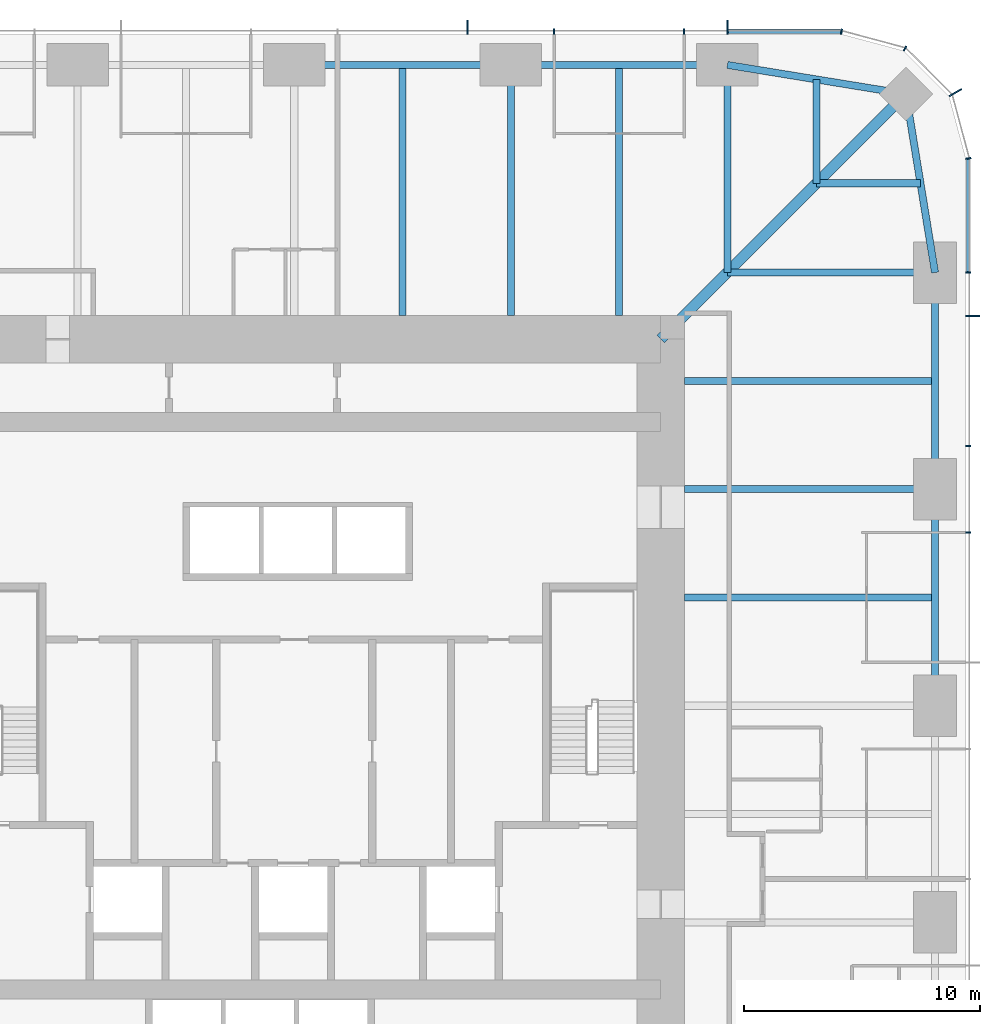
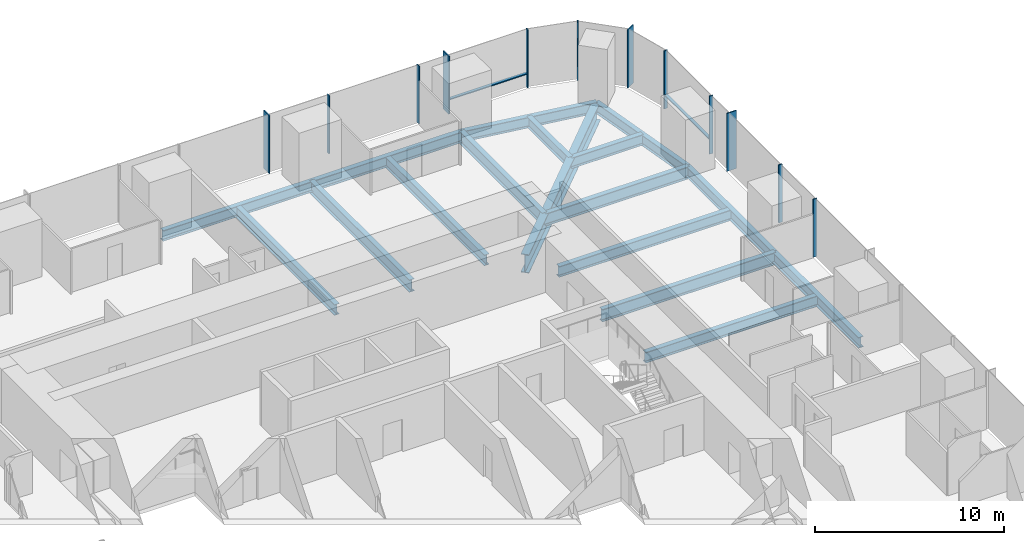
# One storey, part 6 of 12: 17 beams, 14 members, 3 elements without a shape of their own.
"""IFC4 building model written with IfcOpenShell, lengths in metres."""

from ifc_helpers import new_model, si_unit, direction, frame, origin, origin_2d, place, context, subcontext, project, spatial, rectangle, i_section, extrude, material, material_profile, profile_set, type_object, element, aggregate, save


model = new_model("IFC4")

# Units and contexts
model_context = context("Model", 3, precision=1e-05, world=origin(), true_north=direction((0.0, 1.0)))
body_context = subcontext(model_context, "Body", "Model", "MODEL_VIEW")
ifc_project = project(units=[si_unit("LENGTHUNIT", "METRE"), si_unit("AREAUNIT", "SQUARE_METRE"), si_unit("VOLUMEUNIT", "CUBIC_METRE"), si_unit("PLANEANGLEUNIT", "RADIAN"), si_unit("MASSUNIT", "GRAM", prefix="KILO")], contexts=[model_context])

# Site, building, storey
site_placement = place(None, origin())
site = spatial("IfcSite", under=ifc_project, at=site_placement, CompositionType="ELEMENT")
building_placement = place(site_placement, origin())
building = spatial("IfcBuilding", under=site, at=building_placement, Name="Khuree Lantern Residences", CompositionType="ELEMENT")
storey_placement = place(building_placement, frame((0.0, 0.0, 167.25)))
storey = spatial("IfcBuildingStorey", under=building, at=storey_placement, Name="L42", CompositionType="ELEMENT", Elevation=167.25)

# Beams
ifc_material_1 = material(Name="Steel S355", Category="steel")
ifc_material_profile_1 = material_profile(ifc_material_1, i_section(OverallWidth=0.300048828125, OverallDepth=0.68994140625, WebThickness=0.014404296875, FlangeThickness=0.027099609375, FilletRadius=0.027099609375, at=origin_2d()), Name="HE 700 A")
ifc_profile_set_1 = profile_set([ifc_material_profile_1], Name="Steel S355")
beam_type_1 = type_object("IfcBeamType", Name="B-24 SECONDARY BEAM HE 700 A", PredefinedType="BEAM", material=ifc_profile_set_1)
for number, where, z_axis, x_axis, name in (
    (1, (4.580078125, 27.10009765625, -0.594970703125), (0.0, -1.0, 0.0), (1.0, 0.0, 0.0), "Secondary beam N3"),
    (2, (13.739990234375, 27.10009765625, -0.594970703125), (0.0, -1.0, 0.0), (1.0, 0.0, 0.0), "Secondary beam N4"),
):
    element("IfcBeam", number, at=place(storey_placement, frame(where, z_axis=z_axis, x_axis=x_axis)), inside=storey, type_object=beam_type_1, Name=name, PredefinedType="BEAM", context=body_context, shape_type="SweptSolid", body=[
        extrude(i_section(OverallWidth=0.300048828125, OverallDepth=0.68994140625, WebThickness=0.014404296875, FlangeThickness=0.027099609375, FilletRadius=0.027099609375, at=origin_2d()), origin(), (0.0, 0.0, 1.0), 10.60009765625),
    ])
for number, where, z_axis, x_axis, name in (
    (3, (22.094970703125, 26.48486328125, -0.594970703125), (0.0, -1.0, 0.0), (1.0, 0.0, 0.0), "Secondary beam N5"),
    (4, (26.48486328125, 22.094970703125, -0.594970703125), (-1.0, 0.0, 0.0), (0.0, -1.0, 0.0), "Secondary beam E1"),
):
    element("IfcBeam", number, at=place(storey_placement, frame(where, z_axis=z_axis, x_axis=x_axis)), inside=storey, type_object=beam_type_1, Name=name, PredefinedType="BEAM", context=body_context, shape_type="SweptSolid", body=[
        extrude(i_section(OverallWidth=0.300048828125, OverallDepth=0.68994140625, WebThickness=0.014404296875, FlangeThickness=0.027099609375, FilletRadius=0.027099609375, at=origin_2d()), origin(), (0.0, 0.0, 1.0), 4.389892578125),
    ])
for number, where, z_axis, x_axis, name in (
    (5, (27.10009765625, 13.739990234375, -0.594970703125), (-1.0, 0.0, 0.0), (0.0, -1.0, 0.0), "Secondary beam E2"),
    (6, (27.10009765625, 4.580078125, -0.594970703125), (-1.0, 0.0, 0.0), (0.0, -1.0, 0.0), "Secondary beam E3"),
):
    element("IfcBeam", number, at=place(storey_placement, frame(where, z_axis=z_axis, x_axis=x_axis)), inside=storey, type_object=beam_type_1, Name=name, PredefinedType="BEAM", context=body_context, shape_type="SweptSolid", body=[
        extrude(i_section(OverallWidth=0.300048828125, OverallDepth=0.68994140625, WebThickness=0.014404296875, FlangeThickness=0.027099609375, FilletRadius=0.027099609375, at=origin_2d()), origin(), (0.0, 0.0, 1.0), 10.60009765625),
    ])
ifc_material_profile_2 = material_profile(ifc_material_1, i_section(OverallWidth=0.300048828125, OverallDepth=0.68994140625, WebThickness=0.014404296875, FlangeThickness=0.027099609375, FilletRadius=0.027099609375, at=origin_2d()), Name="HE 700 A")
ifc_profile_set_2 = profile_set([ifc_material_profile_2], Name="Steel S355")
beam_type_2 = type_object("IfcBeamType", Name="E-24 SPANDREL BEAM HE 700 A", PredefinedType="SPANDREL", material=ifc_profile_set_2)
beam_1_placement = place(storey_placement, frame((0.0, 27.10009765625, -0.594970703125), z_axis=(1.0, 0.0, 0.0), x_axis=(0.0, 1.0, 0.0)))
element("IfcBeam", 7, at=beam_1_placement, inside=storey, type_object=beam_type_2, Name="Spandrel beam N3", PredefinedType="SPANDREL", context=body_context, shape_type="SweptSolid", body=[
    extrude(i_section(OverallWidth=0.300048828125, OverallDepth=0.68994140625, WebThickness=0.014404296875, FlangeThickness=0.027099609375, FilletRadius=0.027099609375, at=origin_2d()), origin(), (0.0, 0.0, 1.0), 9.159912109375),
])
beam_2_placement = place(storey_placement, frame((9.159912109375, 27.10009765625, -0.594970703125), z_axis=(1.0, 0.0, 0.0), x_axis=(0.0, 1.0, 0.0)))
element("IfcBeam", 8, at=beam_2_placement, inside=storey, type_object=beam_type_2, Name="Spandrel beam N4", PredefinedType="SPANDREL", context=body_context, shape_type="SweptSolid", body=[
    extrude(i_section(OverallWidth=0.300048828125, OverallDepth=0.68994140625, WebThickness=0.014404296875, FlangeThickness=0.027099609375, FilletRadius=0.027099609375, at=origin_2d()), origin(), (0.0, 0.0, 1.0), 9.16015625),
])
for number, where, z_axis, x_axis, name in (
    (9, (18.320068359375, 27.10009765625, -0.594970703125), (0.986982656839, -0.160826723833, 0.0), (0.160826723833, 0.986982656839, 0.0), "Spandrel beam N5"),
    (10, (25.869873046875, 25.869873046875, -0.594970703125), (0.160826723833, -0.986982656839, 0.0), (0.986982656839, 0.160826723833, 0.0), "Spandrel beam E1"),
):
    element("IfcBeam", number, at=place(storey_placement, frame(where, z_axis=z_axis, x_axis=x_axis)), inside=storey, type_object=beam_type_2, Name=name, PredefinedType="SPANDREL", context=body_context, shape_type="SweptSolid", body=[
        extrude(i_section(OverallWidth=0.300048828125, OverallDepth=0.68994140625, WebThickness=0.014404296875, FlangeThickness=0.027099609375, FilletRadius=0.027099609375, at=origin_2d()), origin(), (0.0, 0.0, 1.0), 7.6494140625),
    ])
beam_3_placement = place(storey_placement, frame((27.10009765625, 18.320068359375, -0.594970703125), z_axis=(0.0, -1.0, 0.0), x_axis=(1.0, 0.0, 0.0)))
element("IfcBeam", 11, at=beam_3_placement, inside=storey, type_object=beam_type_2, Name="Spandrel beam E2", PredefinedType="SPANDREL", context=body_context, shape_type="SweptSolid", body=[
    extrude(i_section(OverallWidth=0.300048828125, OverallDepth=0.68994140625, WebThickness=0.014404296875, FlangeThickness=0.027099609375, FilletRadius=0.027099609375, at=origin_2d()), origin(), (0.0, 0.0, 1.0), 9.16015625),
])
beam_4_placement = place(storey_placement, frame((27.10009765625, 9.159912109375, -0.594970703125), z_axis=(0.0, -1.0, 0.0), x_axis=(1.0, 0.0, 0.0)))
element("IfcBeam", 12, at=beam_4_placement, inside=storey, type_object=beam_type_2, Name="Spandrel beam E3", PredefinedType="SPANDREL", context=body_context, shape_type="SweptSolid", body=[
    extrude(i_section(OverallWidth=0.300048828125, OverallDepth=0.68994140625, WebThickness=0.014404296875, FlangeThickness=0.027099609375, FilletRadius=0.027099609375, at=origin_2d()), origin(), (0.0, 0.0, 1.0), 9.159912109375),
])

# Curtain wall, member
ifc_material_2 = material(Name="Bronze anodised aluminium", Category="aluminium")
curtain_wall_type_1 = type_object("IfcCurtainWallType", Name="CW-T1 TOWER FACE CURTAIN WALL", PredefinedType="USERDEFINED", material=ifc_material_2)
curtain_wall_1_placement = place(storey_placement, origin())
curtain_wall_1 = element("IfcCurtainWall", 13, at=curtain_wall_1_placement, inside=storey, type_object=curtain_wall_type_1, Name="L42 EAST FACE CURTAIN WALL", ObjectType="Stick-built curtain wall", PredefinedType="USERDEFINED")
ifc_material_profile_3 = material_profile(ifc_material_2, rectangle(XDim=0.06494140625, YDim=0.60009765625, at=origin_2d()), Name="F1 65X600")
ifc_profile_set_3 = profile_set([ifc_material_profile_3], Name="Bronze anodised aluminium")
member_type_1 = type_object("IfcMemberType", Name="F1 BRONZE FIN MULLION TOWER 65X600", PredefinedType="MULLION", material=ifc_profile_set_3)
member_1_placement = place(storey_placement, frame((28.699951171875, 16.488037109375, 0.0), z_axis=(0.0, 0.0, 1.0), x_axis=(0.0, 1.0, 0.0)))
member_1 = element("IfcMember", 14, at=member_1_placement, type_object=member_type_1, Name="L42 EAST FACE FIN MULLION 13", PredefinedType="MULLION", context=body_context, shape_type="SweptSolid", body=[
    extrude(rectangle(XDim=0.06494140625, YDim=0.60009765625, at=origin_2d()), origin(), (0.0, 0.0, 1.0), 3.75),
])

curtain_wall_type_2 = type_object("IfcCurtainWallType", Name="CW-T2 TOWER CORNER CURTAIN WALL", PredefinedType="USERDEFINED", material=ifc_material_2)
curtain_wall_2_placement = place(storey_placement, origin())
curtain_wall_2 = element("IfcCurtainWall", 15, at=curtain_wall_2_placement, inside=storey, type_object=curtain_wall_type_2, Name="L42 NORTH-EAST CORNER CURTAIN WALL", ObjectType="Faceted corner curtain wall", PredefinedType="USERDEFINED")
member_2_placement = place(storey_placement, frame((27.95654296875, 25.925048828125, 0.0), z_axis=(0.0, 0.0, 1.0), x_axis=(-0.500000026995, 0.866025388199, 0.0)))
member_2 = element("IfcMember", 16, at=member_2_placement, type_object=member_type_1, Name="L42 NORTH-EAST CORNER FIN MULLION 16", PredefinedType="MULLION", context=body_context, shape_type="SweptSolid", body=[
    extrude(rectangle(XDim=0.06494140625, YDim=0.60009765625, at=origin_2d()), origin(), (0.0, 0.0, 1.0), 3.75),
])

# Curtain wall, members
curtain_wall_3_placement = place(storey_placement, origin())
curtain_wall_3 = element("IfcCurtainWall", 17, at=curtain_wall_3_placement, inside=storey, type_object=curtain_wall_type_1, Name="L42 NORTH FACE CURTAIN WALL", ObjectType="Stick-built curtain wall", PredefinedType="USERDEFINED")
member_3_placement = place(storey_placement, frame((18.320068359375, 28.699951171875, 0.0), z_axis=(0.0, 0.0, 1.0), x_axis=(-1.0, 0.0, 0.0)))
member_3 = element("IfcMember", 18, at=member_3_placement, type_object=member_type_1, Name="L42 NORTH FACE FIN MULLION 19", PredefinedType="MULLION", context=body_context, shape_type="SweptSolid", body=[
    extrude(rectangle(XDim=0.06494140625, YDim=0.60009765625, at=origin_2d()), origin(), (0.0, 0.0, 1.0), 3.75),
])
member_4_placement = place(storey_placement, frame((7.327880859375, 28.699951171875, 0.0), z_axis=(0.0, 0.0, 1.0), x_axis=(-1.0, 0.0, 0.0)))
member_4 = element("IfcMember", 19, at=member_4_placement, type_object=member_type_1, Name="L42 NORTH FACE FIN MULLION 22", PredefinedType="MULLION", context=body_context, shape_type="SweptSolid", body=[
    extrude(rectangle(XDim=0.06494140625, YDim=0.60009765625, at=origin_2d()), origin(), (0.0, 0.0, 1.0), 3.75),
])

# Beams
ifc_material_profile_4 = material_profile(ifc_material_1, i_section(OverallWidth=0.300048828125, OverallDepth=0.800048828125, WebThickness=0.017578125, FlangeThickness=0.032958984375, FilletRadius=0.030029296875, at=origin_2d()), Name="HE 800 B")
ifc_profile_set_4 = profile_set([ifc_material_profile_4], Name="Steel S355")
beam_type_3 = type_object("IfcBeamType", Name="G-24 GIRDER HE 800 B", PredefinedType="BEAM", material=ifc_profile_set_4)
beam_5_placement = place(storey_placement, frame((9.159912109375, 27.10009765625, -0.64990234375), z_axis=(0.0, -1.0, 0.0), x_axis=(1.0, 0.0, 0.0)))
element("IfcBeam", 20, at=beam_5_placement, inside=storey, type_object=beam_type_3, Name="Girder N4", PredefinedType="BEAM", context=body_context, shape_type="SweptSolid", body=[
    extrude(i_section(OverallWidth=0.300048828125, OverallDepth=0.800048828125, WebThickness=0.017578125, FlangeThickness=0.032958984375, FilletRadius=0.030029296875, at=origin_2d()), origin(), (0.0, 0.0, 1.0), 10.60009765625),
])
for number, where, z_axis, x_axis, name in (
    (21, (18.320068359375, 27.10009765625, -0.64990234375), (0.0, -1.0, 0.0), (1.0, 0.0, 0.0), "Girder N5"),
    (22, (27.10009765625, 18.320068359375, -0.64990234375), (-1.0, 0.0, 0.0), (0.0, -1.0, 0.0), "Girder E1"),
):
    element("IfcBeam", number, at=place(storey_placement, frame(where, z_axis=z_axis, x_axis=x_axis)), inside=storey, type_object=beam_type_3, Name=name, PredefinedType="BEAM", context=body_context, shape_type="SweptSolid", body=[
        extrude(i_section(OverallWidth=0.300048828125, OverallDepth=0.800048828125, WebThickness=0.017578125, FlangeThickness=0.032958984375, FilletRadius=0.030029296875, at=origin_2d()), origin(), (0.0, 0.0, 1.0), 8.780029296875),
    ])
beam_6_placement = place(storey_placement, frame((27.10009765625, 9.159912109375, -0.64990234375), z_axis=(-1.0, 0.0, 0.0), x_axis=(0.0, -1.0, 0.0)))
element("IfcBeam", 23, at=beam_6_placement, inside=storey, type_object=beam_type_3, Name="Girder E2", PredefinedType="BEAM", context=body_context, shape_type="SweptSolid", body=[
    extrude(i_section(OverallWidth=0.300048828125, OverallDepth=0.800048828125, WebThickness=0.017578125, FlangeThickness=0.032958984375, FilletRadius=0.030029296875, at=origin_2d()), origin(), (0.0, 0.0, 1.0), 10.60009765625),
])
ifc_material_profile_5 = material_profile(ifc_material_1, i_section(OverallWidth=0.449951171875, OverallDepth=1.199951171875, WebThickness=0.02490234375, FlangeThickness=0.044921875, at=origin_2d()), Name="WELDED I 1200X450X25X45")
ifc_profile_set_5 = profile_set([ifc_material_profile_5], Name="Steel S355")
beam_type_4 = type_object("IfcBeamType", Name="GD-24 CORNER GIRDER WELDED I 1200X450X25X45", PredefinedType="BEAM", material=ifc_profile_set_5)
beam_7_placement = place(storey_placement, frame((25.869873046875, 25.869873046875, -0.85009765625), z_axis=(-0.707106781187, -0.707106781187, 0.0), x_axis=(0.707106781187, -0.707106781187, 0.0)))
element("IfcBeam", 24, at=beam_7_placement, inside=storey, type_object=beam_type_4, Name="Corner girder NE", PredefinedType="BEAM", context=body_context, shape_type="SweptSolid", body=[
    extrude(i_section(OverallWidth=0.449951171875, OverallDepth=1.199951171875, WebThickness=0.02490234375, FlangeThickness=0.044921875, at=origin_2d()), origin(), (0.0, 0.0, 1.0), 14.665283203125),
])

# Member
ifc_material_profile_6 = material_profile(ifc_material_2, rectangle(XDim=0.06494140625, YDim=0.219970703125, at=origin_2d()), Name="M1 65X220")
ifc_profile_set_6 = profile_set([ifc_material_profile_6], Name="Bronze anodised aluminium")
member_type_2 = type_object("IfcMemberType", Name="M1 BRONZE MULLION TOWER 65X220", PredefinedType="MULLION", material=ifc_profile_set_6)
member_5_placement = place(storey_placement, frame((28.510009765625, 7.327880859375, 0.0), z_axis=(0.0, 0.0, 1.0), x_axis=(0.0, 1.0, 0.0)))
member_5 = element("IfcMember", 25, at=member_5_placement, type_object=member_type_2, Name="L42 EAST FACE MULLION 11", PredefinedType="MULLION", context=body_context, shape_type="SweptSolid", body=[
    extrude(rectangle(XDim=0.06494140625, YDim=0.219970703125, at=origin_2d()), origin(), (0.0, 0.0, 1.0), 3.75),
])

member_6_placement = place(storey_placement, frame((28.510009765625, 10.991943359375, 0.0), z_axis=(0.0, 0.0, 1.0), x_axis=(0.0, 1.0, 0.0)))
member_6 = element("IfcMember", 26, at=member_6_placement, type_object=member_type_2, Name="L42 EAST FACE MULLION 12", PredefinedType="MULLION", context=body_context, shape_type="SweptSolid", body=[
    extrude(rectangle(XDim=0.06494140625, YDim=0.219970703125, at=origin_2d()), origin(), (0.0, 0.0, 1.0), 3.75),
])

member_7_placement = place(storey_placement, frame((28.510009765625, 18.320068359375, 0.0), z_axis=(0.0, 0.0, 1.0), x_axis=(0.0, 1.0, 0.0)))
member_7 = element("IfcMember", 27, at=member_7_placement, type_object=member_type_2, Name="L42 EAST FACE MULLION 14", PredefinedType="MULLION", context=body_context, shape_type="SweptSolid", body=[
    extrude(rectangle(XDim=0.06494140625, YDim=0.219970703125, at=origin_2d()), origin(), (0.0, 0.0, 1.0), 3.75),
])

member_8_placement = place(storey_placement, frame((28.51171875, 23.14501953125, 0.0), z_axis=(0.0, 0.0, 1.0), x_axis=(-0.130526223125, 0.991444857305, 0.0)))
member_8 = element("IfcMember", 28, at=member_8_placement, type_object=member_type_2, Name="L42 NORTH-EAST CORNER MULLION 15", PredefinedType="MULLION", context=body_context, shape_type="SweptSolid", body=[
    extrude(rectangle(XDim=0.06494140625, YDim=0.219970703125, at=origin_2d()), origin(), (0.0, 0.0, 1.0), 3.75),
])

member_9_placement = place(storey_placement, frame((25.830078125, 27.7919921875, 0.0), z_axis=(0.0, 0.0, 1.0), x_axis=(-0.866025388199, 0.500000026995, 0.0)))
member_9 = element("IfcMember", 29, at=member_9_placement, type_object=member_type_2, Name="L42 NORTH-EAST CORNER MULLION 17", PredefinedType="MULLION", context=body_context, shape_type="SweptSolid", body=[
    extrude(rectangle(XDim=0.06494140625, YDim=0.219970703125, at=origin_2d()), origin(), (0.0, 0.0, 1.0), 3.75),
])

aggregate(curtain_wall_2, [member_8, member_2, member_9])

member_10_placement = place(storey_placement, frame((23.14501953125, 28.51171875, 0.0), z_axis=(0.0, 0.0, 1.0), x_axis=(-0.991444857305, 0.130526223125, 0.0)))
member_10 = element("IfcMember", 30, at=member_10_placement, type_object=member_type_2, Name="L42 NORTH FACE MULLION 18", PredefinedType="MULLION", context=body_context, shape_type="SweptSolid", body=[
    extrude(rectangle(XDim=0.06494140625, YDim=0.219970703125, at=origin_2d()), origin(), (0.0, 0.0, 1.0), 3.75),
])

member_11_placement = place(storey_placement, frame((16.488037109375, 28.510009765625, 0.0), z_axis=(0.0, 0.0, 1.0), x_axis=(-1.0, 0.0, 0.0)))
member_11 = element("IfcMember", 31, at=member_11_placement, type_object=member_type_2, Name="L42 NORTH FACE MULLION 20", PredefinedType="MULLION", context=body_context, shape_type="SweptSolid", body=[
    extrude(rectangle(XDim=0.06494140625, YDim=0.219970703125, at=origin_2d()), origin(), (0.0, 0.0, 1.0), 3.75),
])

member_12_placement = place(storey_placement, frame((10.991943359375, 28.510009765625, 0.0), z_axis=(0.0, 0.0, 1.0), x_axis=(-1.0, 0.0, 0.0)))
member_12 = element("IfcMember", 32, at=member_12_placement, type_object=member_type_2, Name="L42 NORTH FACE MULLION 21", PredefinedType="MULLION", context=body_context, shape_type="SweptSolid", body=[
    extrude(rectangle(XDim=0.06494140625, YDim=0.219970703125, at=origin_2d()), origin(), (0.0, 0.0, 1.0), 3.75),
])

ifc_material_profile_7 = material_profile(ifc_material_2, rectangle(XDim=0.179931640625, YDim=0.06494140625, at=origin_2d()), Name="T1 180X65")
ifc_profile_set_7 = profile_set([ifc_material_profile_7], Name="Bronze anodised aluminium")
member_type_3 = type_object("IfcMemberType", Name="TRANSOM T1 TOWER 180X65", PredefinedType="USERDEFINED", material=ifc_profile_set_7)
member_13_placement = place(storey_placement, frame((28.52001953125, 18.3525390625, 0.89990234375), z_axis=(0.0, 1.0, 0.0), x_axis=(-1.0, 0.0, 0.0)))
member_13 = element("IfcMember", 33, at=member_13_placement, type_object=member_type_3, Name="L42 EAST FACE TRANSOM 14.1", ObjectType="Transom", PredefinedType="USERDEFINED", context=body_context, shape_type="SweptSolid", body=[
    extrude(rectangle(XDim=0.179931640625, YDim=0.06494140625, at=origin_2d()), origin(), (0.0, 0.0, 1.0), 4.748779296875),
])

aggregate(curtain_wall_1, [member_5, member_6, member_1, member_7, member_13])

member_14_placement = place(storey_placement, frame((23.101318359375, 28.52001953125, 0.89990234375), z_axis=(-1.0, 0.0, 0.0), x_axis=(0.0, -1.0, 0.0)))
member_14 = element("IfcMember", 34, at=member_14_placement, type_object=member_type_3, Name="L42 NORTH FACE TRANSOM 18.1", ObjectType="Transom", PredefinedType="USERDEFINED", context=body_context, shape_type="SweptSolid", body=[
    extrude(rectangle(XDim=0.179931640625, YDim=0.06494140625, at=origin_2d()), origin(), (0.0, 0.0, 1.0), 4.748779296875),
])

aggregate(curtain_wall_3, [member_10, member_3, member_11, member_12, member_4, member_14])

save(model, "model.ifc")
